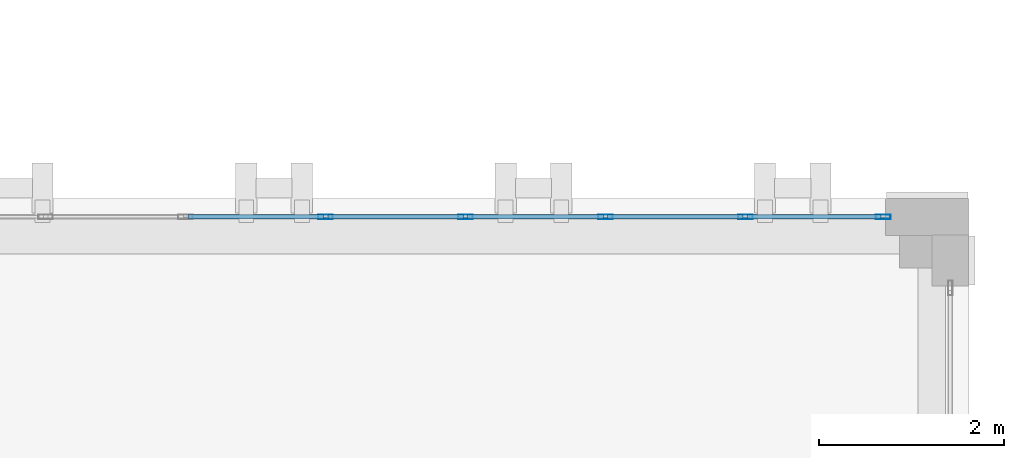
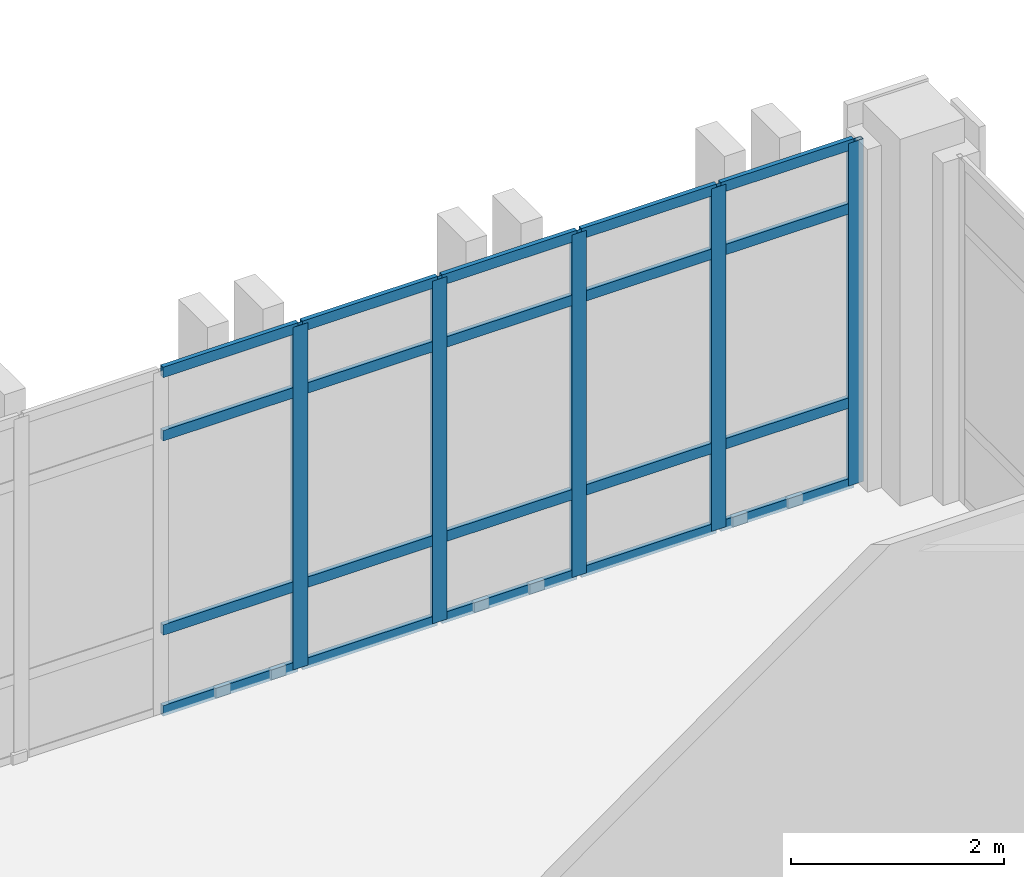
# One storey, part 108 of 158: 25 members, 1 element without a shape of its own.
"""IFC4 building model written with IfcOpenShell, lengths in metres."""

from ifc_helpers import new_model, si_unit, direction, frame, origin, origin_2d, place, context, subcontext, project, spatial, hollow_rectangle, extrude, material, layer, layer_set, material_profile, profile_set, type_object, element, aggregate, save


model = new_model("IFC4")

# Units and contexts
model_context = context("Model", 3, precision=1e-05, world=origin(), true_north=direction((0.0, 1.0)))
body_context = subcontext(model_context, "Body", "Model", "MODEL_VIEW")
ifc_project = project(units=[si_unit("LENGTHUNIT", "METRE"), si_unit("AREAUNIT", "SQUARE_METRE"), si_unit("VOLUMEUNIT", "CUBIC_METRE"), si_unit("PLANEANGLEUNIT", "RADIAN"), si_unit("MASSUNIT", "GRAM", prefix="KILO")], contexts=[model_context])

# Site, building, storey
site_placement = place(None, origin())
site = spatial("IfcSite", under=ifc_project, at=site_placement, CompositionType="ELEMENT")
building_placement = place(site_placement, origin())
building = spatial("IfcBuilding", under=site, at=building_placement, Name="Qalavern Law Courts", CompositionType="ELEMENT")
storey_placement = place(building_placement, frame((0.0, 0.0, 18.60009765625)))
storey = spatial("IfcBuildingStorey", under=building, at=storey_placement, Name="L04", CompositionType="ELEMENT", Elevation=18.60009765625)

# Curtain wall, members
ifc_material_1 = material(Name="Anodised aluminium and insulated glazing", Category="aluminium")
ifc_layer = layer(ifc_material_1, 0.159912109375)
ifc_layer_set = layer_set([ifc_layer], Name="Anodised aluminium and insulated glazing")
curtain_wall_type = type_object("IfcCurtainWallType", Name="ENV-CW-CHAMB", PredefinedType="USERDEFINED", material=ifc_layer_set)
curtain_wall_placement = place(storey_placement, origin())
curtain_wall = element("IfcCurtainWall", 1, at=curtain_wall_placement, inside=storey, type_object=curtain_wall_type, Name="V4 unitised curtain wall L04 north 1", ObjectType="UNITISED CURTAIN WALL", PredefinedType="USERDEFINED")
ifc_material_2 = material(Name="Anodised aluminium", Category="aluminium")
ifc_material_profile_1 = material_profile(ifc_material_2, hollow_rectangle(XDim=0.048095703125, YDim=0.159912109375, WallThickness=0.00390625, at=origin_2d()), Name="ALU MULLION 48x160")
ifc_profile_set_1 = profile_set([ifc_material_profile_1], Name="Anodised aluminium")
member_type_1 = type_object("IfcMemberType", Name="ENV-CWM-48x160", PredefinedType="MULLION", material=ifc_profile_set_1)
member_1_placement = place(storey_placement, frame((105.8759765625, 85.60009765625, 0.0), z_axis=(0.0, 0.0, 1.0), x_axis=(0.0, -1.0, 0.0)))
member_1 = element("IfcMember", 2, at=member_1_placement, type_object=member_type_1, Name="CW-04 mullion 1", PredefinedType="MULLION", context=body_context, shape_type="SweptSolid", body=[
    extrude(hollow_rectangle(XDim=0.048095703125, YDim=0.159912109375, WallThickness=0.00390625, at=origin_2d()), origin(), (0.0, 0.0, 1.0), 3.9248046875),
])
member_2_placement = place(storey_placement, frame((104.388916015625, 85.60009765625, 0.0), z_axis=(0.0, 0.0, 1.0), x_axis=(0.0, -1.0, 0.0)))
member_2 = element("IfcMember", 3, at=member_2_placement, type_object=member_type_1, Name="CW-04 mullion 2", PredefinedType="MULLION", context=body_context, shape_type="SweptSolid", body=[
    extrude(hollow_rectangle(XDim=0.048095703125, YDim=0.159912109375, WallThickness=0.00390625, at=origin_2d()), origin(), (0.0, 0.0, 1.0), 3.9248046875),
])
member_3_placement = place(storey_placement, frame((102.877685546875, 85.60009765625, 0.0), z_axis=(0.0, 0.0, 1.0), x_axis=(0.0, -1.0, 0.0)))
member_3 = element("IfcMember", 4, at=member_3_placement, type_object=member_type_1, Name="CW-04 mullion 3", PredefinedType="MULLION", context=body_context, shape_type="SweptSolid", body=[
    extrude(hollow_rectangle(XDim=0.048095703125, YDim=0.159912109375, WallThickness=0.00390625, at=origin_2d()), origin(), (0.0, 0.0, 1.0), 3.9248046875),
])
member_4_placement = place(storey_placement, frame((101.36669921875, 85.60009765625, 0.0), z_axis=(0.0, 0.0, 1.0), x_axis=(0.0, -1.0, 0.0)))
member_4 = element("IfcMember", 5, at=member_4_placement, type_object=member_type_1, Name="CW-04 mullion 4", PredefinedType="MULLION", context=body_context, shape_type="SweptSolid", body=[
    extrude(hollow_rectangle(XDim=0.048095703125, YDim=0.159912109375, WallThickness=0.00390625, at=origin_2d()), origin(), (0.0, 0.0, 1.0), 3.9248046875),
])
member_5_placement = place(storey_placement, frame((99.85546875, 85.60009765625, 0.0), z_axis=(0.0, 0.0, 1.0), x_axis=(0.0, -1.0, 0.0)))
member_5 = element("IfcMember", 6, at=member_5_placement, type_object=member_type_1, Name="CW-04 mullion 5", PredefinedType="MULLION", context=body_context, shape_type="SweptSolid", body=[
    extrude(hollow_rectangle(XDim=0.048095703125, YDim=0.159912109375, WallThickness=0.00390625, at=origin_2d()), origin(), (0.0, 0.0, 1.0), 3.9248046875),
])
ifc_material_profile_2 = material_profile(ifc_material_2, hollow_rectangle(XDim=0.048095703125, YDim=0.1201171875, WallThickness=0.00390625, at=origin_2d()), Name="ALU TRANSOM 48x120")
ifc_profile_set_2 = profile_set([ifc_material_profile_2], Name="Anodised aluminium")
member_type_2 = type_object("IfcMemberType", Name="ENV-CWT-48x120", PredefinedType="USERDEFINED", material=ifc_profile_set_2)
member_6_placement = place(storey_placement, frame((105.85205078125, 85.60009765625, 0.02392578125), z_axis=(-1.0, 0.0, 0.0), x_axis=(0.0, -1.0, 0.0)))
member_6 = element("IfcMember", 7, at=member_6_placement, type_object=member_type_2, Name="CW-04 transom 1.1", ObjectType="TRANSOM", PredefinedType="USERDEFINED", context=body_context, shape_type="SweptSolid", body=[
    extrude(hollow_rectangle(XDim=0.048095703125, YDim=0.1201171875, WallThickness=0.00390625, at=origin_2d()), origin(), (0.0, 0.0, 1.0), 1.439208984375),
])
member_7_placement = place(storey_placement, frame((105.85205078125, 85.60009765625, 0.949951171875), z_axis=(-1.0, 0.0, 0.0), x_axis=(0.0, -1.0, 0.0)))
member_7 = element("IfcMember", 8, at=member_7_placement, type_object=member_type_2, Name="CW-04 transom 1.2", ObjectType="TRANSOM", PredefinedType="USERDEFINED", context=body_context, shape_type="SweptSolid", body=[
    extrude(hollow_rectangle(XDim=0.048095703125, YDim=0.1201171875, WallThickness=0.00390625, at=origin_2d()), origin(), (0.0, 0.0, 1.0), 1.439208984375),
])
member_8_placement = place(storey_placement, frame((105.85205078125, 85.60009765625, 3.1748046875), z_axis=(-1.0, 0.0, 0.0), x_axis=(0.0, -1.0, 0.0)))
member_8 = element("IfcMember", 9, at=member_8_placement, type_object=member_type_2, Name="CW-04 transom 1.3", ObjectType="TRANSOM", PredefinedType="USERDEFINED", context=body_context, shape_type="SweptSolid", body=[
    extrude(hollow_rectangle(XDim=0.048095703125, YDim=0.1201171875, WallThickness=0.00390625, at=origin_2d()), origin(), (0.0, 0.0, 1.0), 1.439208984375),
])
member_9_placement = place(storey_placement, frame((105.85205078125, 85.60009765625, 3.90087890625), z_axis=(-1.0, 0.0, 0.0), x_axis=(0.0, -1.0, 0.0)))
member_9 = element("IfcMember", 10, at=member_9_placement, type_object=member_type_2, Name="CW-04 transom 1.4", ObjectType="TRANSOM", PredefinedType="USERDEFINED", context=body_context, shape_type="SweptSolid", body=[
    extrude(hollow_rectangle(XDim=0.048095703125, YDim=0.1201171875, WallThickness=0.00390625, at=origin_2d()), origin(), (0.0, 0.0, 1.0), 1.439208984375),
])
member_10_placement = place(storey_placement, frame((104.364990234375, 85.60009765625, 0.02392578125), z_axis=(-1.0, 0.0, 0.0), x_axis=(0.0, -1.0, 0.0)))
member_10 = element("IfcMember", 11, at=member_10_placement, type_object=member_type_2, Name="CW-04 transom 2.1", ObjectType="TRANSOM", PredefinedType="USERDEFINED", context=body_context, shape_type="SweptSolid", body=[
    extrude(hollow_rectangle(XDim=0.048095703125, YDim=0.1201171875, WallThickness=0.00390625, at=origin_2d()), origin(), (0.0, 0.0, 1.0), 1.463134765625),
])
member_11_placement = place(storey_placement, frame((104.364990234375, 85.60009765625, 0.949951171875), z_axis=(-1.0, 0.0, 0.0), x_axis=(0.0, -1.0, 0.0)))
member_11 = element("IfcMember", 12, at=member_11_placement, type_object=member_type_2, Name="CW-04 transom 2.2", ObjectType="TRANSOM", PredefinedType="USERDEFINED", context=body_context, shape_type="SweptSolid", body=[
    extrude(hollow_rectangle(XDim=0.048095703125, YDim=0.1201171875, WallThickness=0.00390625, at=origin_2d()), origin(), (0.0, 0.0, 1.0), 1.463134765625),
])
member_12_placement = place(storey_placement, frame((104.364990234375, 85.60009765625, 3.1748046875), z_axis=(-1.0, 0.0, 0.0), x_axis=(0.0, -1.0, 0.0)))
member_12 = element("IfcMember", 13, at=member_12_placement, type_object=member_type_2, Name="CW-04 transom 2.3", ObjectType="TRANSOM", PredefinedType="USERDEFINED", context=body_context, shape_type="SweptSolid", body=[
    extrude(hollow_rectangle(XDim=0.048095703125, YDim=0.1201171875, WallThickness=0.00390625, at=origin_2d()), origin(), (0.0, 0.0, 1.0), 1.463134765625),
])
member_13_placement = place(storey_placement, frame((104.364990234375, 85.60009765625, 3.90087890625), z_axis=(-1.0, 0.0, 0.0), x_axis=(0.0, -1.0, 0.0)))
member_13 = element("IfcMember", 14, at=member_13_placement, type_object=member_type_2, Name="CW-04 transom 2.4", ObjectType="TRANSOM", PredefinedType="USERDEFINED", context=body_context, shape_type="SweptSolid", body=[
    extrude(hollow_rectangle(XDim=0.048095703125, YDim=0.1201171875, WallThickness=0.00390625, at=origin_2d()), origin(), (0.0, 0.0, 1.0), 1.463134765625),
])
member_14_placement = place(storey_placement, frame((102.853759765625, 85.60009765625, 0.02392578125), z_axis=(-1.0, 0.0, 0.0), x_axis=(0.0, -1.0, 0.0)))
member_14 = element("IfcMember", 15, at=member_14_placement, type_object=member_type_2, Name="CW-04 transom 3.1", ObjectType="TRANSOM", PredefinedType="USERDEFINED", context=body_context, shape_type="SweptSolid", body=[
    extrude(hollow_rectangle(XDim=0.048095703125, YDim=0.1201171875, WallThickness=0.00390625, at=origin_2d()), origin(), (0.0, 0.0, 1.0), 1.463134765625),
])
member_15_placement = place(storey_placement, frame((102.853759765625, 85.60009765625, 0.949951171875), z_axis=(-1.0, 0.0, 0.0), x_axis=(0.0, -1.0, 0.0)))
member_15 = element("IfcMember", 16, at=member_15_placement, type_object=member_type_2, Name="CW-04 transom 3.2", ObjectType="TRANSOM", PredefinedType="USERDEFINED", context=body_context, shape_type="SweptSolid", body=[
    extrude(hollow_rectangle(XDim=0.048095703125, YDim=0.1201171875, WallThickness=0.00390625, at=origin_2d()), origin(), (0.0, 0.0, 1.0), 1.463134765625),
])
member_16_placement = place(storey_placement, frame((102.853759765625, 85.60009765625, 3.1748046875), z_axis=(-1.0, 0.0, 0.0), x_axis=(0.0, -1.0, 0.0)))
member_16 = element("IfcMember", 17, at=member_16_placement, type_object=member_type_2, Name="CW-04 transom 3.3", ObjectType="TRANSOM", PredefinedType="USERDEFINED", context=body_context, shape_type="SweptSolid", body=[
    extrude(hollow_rectangle(XDim=0.048095703125, YDim=0.1201171875, WallThickness=0.00390625, at=origin_2d()), origin(), (0.0, 0.0, 1.0), 1.463134765625),
])
member_17_placement = place(storey_placement, frame((102.853759765625, 85.60009765625, 3.90087890625), z_axis=(-1.0, 0.0, 0.0), x_axis=(0.0, -1.0, 0.0)))
member_17 = element("IfcMember", 18, at=member_17_placement, type_object=member_type_2, Name="CW-04 transom 3.4", ObjectType="TRANSOM", PredefinedType="USERDEFINED", context=body_context, shape_type="SweptSolid", body=[
    extrude(hollow_rectangle(XDim=0.048095703125, YDim=0.1201171875, WallThickness=0.00390625, at=origin_2d()), origin(), (0.0, 0.0, 1.0), 1.463134765625),
])
member_18_placement = place(storey_placement, frame((101.3427734375, 85.60009765625, 0.02392578125), z_axis=(-1.0, 0.0, 0.0), x_axis=(0.0, -1.0, 0.0)))
member_18 = element("IfcMember", 19, at=member_18_placement, type_object=member_type_2, Name="CW-04 transom 4.1", ObjectType="TRANSOM", PredefinedType="USERDEFINED", context=body_context, shape_type="SweptSolid", body=[
    extrude(hollow_rectangle(XDim=0.048095703125, YDim=0.1201171875, WallThickness=0.00390625, at=origin_2d()), origin(), (0.0, 0.0, 1.0), 1.463134765625),
])
member_19_placement = place(storey_placement, frame((101.3427734375, 85.60009765625, 0.949951171875), z_axis=(-1.0, 0.0, 0.0), x_axis=(0.0, -1.0, 0.0)))
member_19 = element("IfcMember", 20, at=member_19_placement, type_object=member_type_2, Name="CW-04 transom 4.2", ObjectType="TRANSOM", PredefinedType="USERDEFINED", context=body_context, shape_type="SweptSolid", body=[
    extrude(hollow_rectangle(XDim=0.048095703125, YDim=0.1201171875, WallThickness=0.00390625, at=origin_2d()), origin(), (0.0, 0.0, 1.0), 1.463134765625),
])
member_20_placement = place(storey_placement, frame((101.3427734375, 85.60009765625, 3.1748046875), z_axis=(-1.0, 0.0, 0.0), x_axis=(0.0, -1.0, 0.0)))
member_20 = element("IfcMember", 21, at=member_20_placement, type_object=member_type_2, Name="CW-04 transom 4.3", ObjectType="TRANSOM", PredefinedType="USERDEFINED", context=body_context, shape_type="SweptSolid", body=[
    extrude(hollow_rectangle(XDim=0.048095703125, YDim=0.1201171875, WallThickness=0.00390625, at=origin_2d()), origin(), (0.0, 0.0, 1.0), 1.463134765625),
])
member_21_placement = place(storey_placement, frame((101.3427734375, 85.60009765625, 3.90087890625), z_axis=(-1.0, 0.0, 0.0), x_axis=(0.0, -1.0, 0.0)))
member_21 = element("IfcMember", 22, at=member_21_placement, type_object=member_type_2, Name="CW-04 transom 4.4", ObjectType="TRANSOM", PredefinedType="USERDEFINED", context=body_context, shape_type="SweptSolid", body=[
    extrude(hollow_rectangle(XDim=0.048095703125, YDim=0.1201171875, WallThickness=0.00390625, at=origin_2d()), origin(), (0.0, 0.0, 1.0), 1.463134765625),
])
member_22_placement = place(storey_placement, frame((99.83154296875, 85.60009765625, 0.02392578125), z_axis=(-1.0, 0.0, 0.0), x_axis=(0.0, -1.0, 0.0)))
member_22 = element("IfcMember", 23, at=member_22_placement, type_object=member_type_2, Name="CW-04 transom 5.1", ObjectType="TRANSOM", PredefinedType="USERDEFINED", context=body_context, shape_type="SweptSolid", body=[
    extrude(hollow_rectangle(XDim=0.048095703125, YDim=0.1201171875, WallThickness=0.00390625, at=origin_2d()), origin(), (0.0, 0.0, 1.0), 1.463134765625),
])
member_23_placement = place(storey_placement, frame((99.83154296875, 85.60009765625, 0.949951171875), z_axis=(-1.0, 0.0, 0.0), x_axis=(0.0, -1.0, 0.0)))
member_23 = element("IfcMember", 24, at=member_23_placement, type_object=member_type_2, Name="CW-04 transom 5.2", ObjectType="TRANSOM", PredefinedType="USERDEFINED", context=body_context, shape_type="SweptSolid", body=[
    extrude(hollow_rectangle(XDim=0.048095703125, YDim=0.1201171875, WallThickness=0.00390625, at=origin_2d()), origin(), (0.0, 0.0, 1.0), 1.463134765625),
])
member_24_placement = place(storey_placement, frame((99.83154296875, 85.60009765625, 3.1748046875), z_axis=(-1.0, 0.0, 0.0), x_axis=(0.0, -1.0, 0.0)))
member_24 = element("IfcMember", 25, at=member_24_placement, type_object=member_type_2, Name="CW-04 transom 5.3", ObjectType="TRANSOM", PredefinedType="USERDEFINED", context=body_context, shape_type="SweptSolid", body=[
    extrude(hollow_rectangle(XDim=0.048095703125, YDim=0.1201171875, WallThickness=0.00390625, at=origin_2d()), origin(), (0.0, 0.0, 1.0), 1.463134765625),
])
member_25_placement = place(storey_placement, frame((99.83154296875, 85.60009765625, 3.90087890625), z_axis=(-1.0, 0.0, 0.0), x_axis=(0.0, -1.0, 0.0)))
member_25 = element("IfcMember", 26, at=member_25_placement, type_object=member_type_2, Name="CW-04 transom 5.4", ObjectType="TRANSOM", PredefinedType="USERDEFINED", context=body_context, shape_type="SweptSolid", body=[
    extrude(hollow_rectangle(XDim=0.048095703125, YDim=0.1201171875, WallThickness=0.00390625, at=origin_2d()), origin(), (0.0, 0.0, 1.0), 1.463134765625),
])
aggregate(curtain_wall, [member_1, member_2, member_3, member_4, member_5, member_6, member_7, member_8, member_9, member_10, member_11, member_12, member_13, member_14, member_15, member_16, member_17, member_18, member_19, member_20, member_21, member_22, member_23, member_24, member_25])

save(model, "model.ifc")
